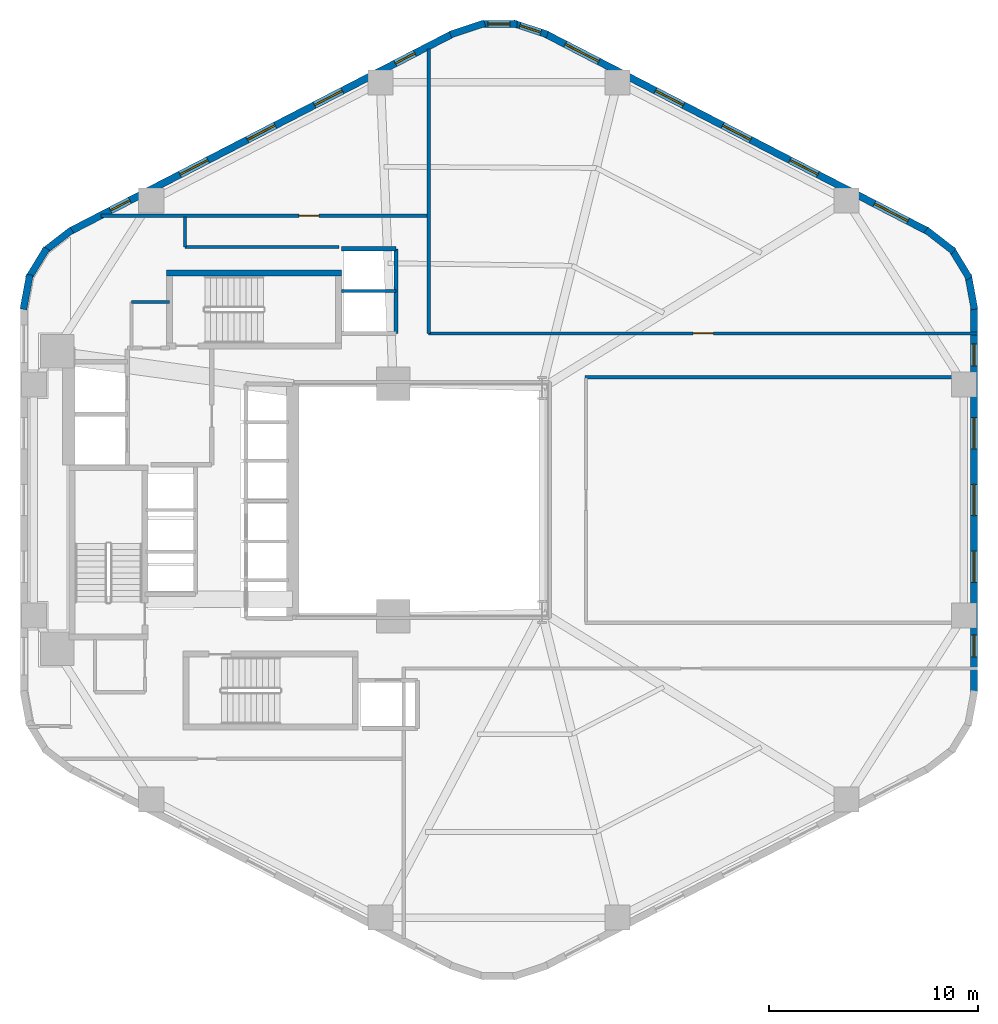
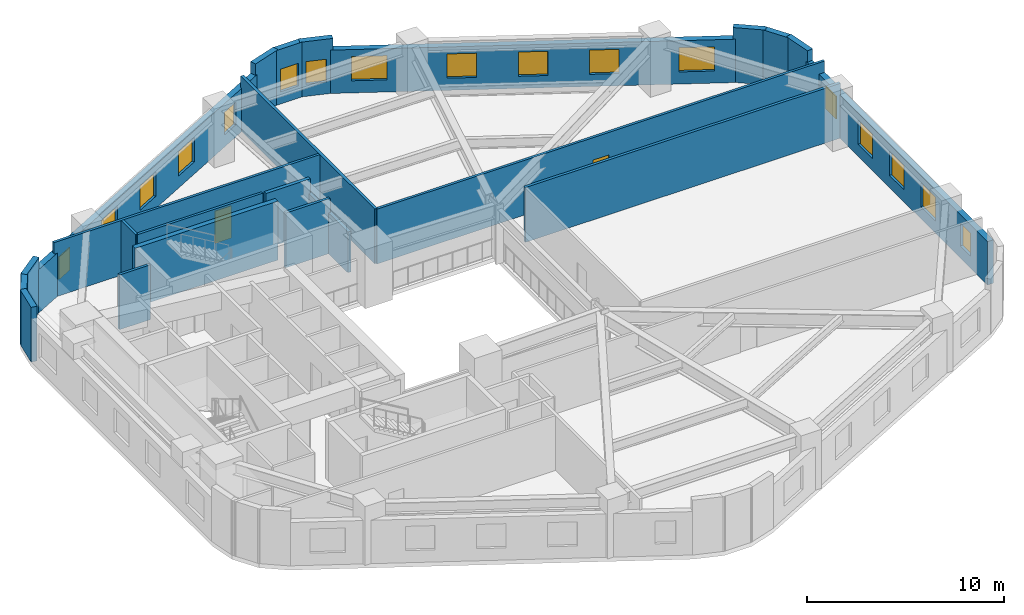
# One storey, part 4 of 6: 23 walls, 17 windows, 2 doors, 19 openings.
"""IFC4 building model written with IfcOpenShell, lengths in metres."""

from ifc_helpers import new_model, si_unit, direction, frame, frame_2d, origin, place, context, subcontext, project, spatial, rectangle, extrude, material, layer, layer_set, type_object, element, fill, save


model = new_model("IFC4")

# Units and contexts
model_context = context("Model", 3, precision=1e-05, world=origin(), true_north=direction((0.0, 1.0)))
body_context = subcontext(model_context, "Body", "Model", "MODEL_VIEW")
ifc_project = project(units=[si_unit("LENGTHUNIT", "METRE"), si_unit("AREAUNIT", "SQUARE_METRE"), si_unit("VOLUMEUNIT", "CUBIC_METRE"), si_unit("PLANEANGLEUNIT", "RADIAN"), si_unit("MASSUNIT", "GRAM", prefix="KILO"), si_unit("THERMODYNAMICTEMPERATUREUNIT", "KELVIN"), si_unit("POWERUNIT", "WATT")], contexts=[model_context])

# Site, building, storey
site_placement = place(None, origin())
site = spatial("IfcSite", under=ifc_project, at=site_placement, CompositionType="ELEMENT")
building_placement = place(site_placement, origin())
building = spatial("IfcBuilding", under=site, at=building_placement, Name="Skarre Station Tower", CompositionType="ELEMENT")
storey_placement = place(building_placement, frame((0.0, 0.0, 30.64990234375)))
storey = spatial("IfcBuildingStorey", under=building, at=storey_placement, Name="L07", CompositionType="ELEMENT", Elevation=30.64990234375)

# Wall
ifc_material_1 = material(Name="Acoustic Steel-Stud Gypsum Partition", Category="steel")
ifc_layer_1 = layer(ifc_material_1, 0.14990234375, Name="Acoustic Steel-Stud Gypsum Partition")
ifc_layer_set_1 = layer_set([ifc_layer_1], Name="Acoustic Steel-Stud Gypsum Partition")
wall_type_1 = type_object("IfcWallType", Name="Fire-Rated Corridor Acoustic Partition 150", PredefinedType="PARTITIONING", material=ifc_layer_set_1)
wall_1_placement = place(storey_placement, frame((21.659912109375, 33.449951171875, 0.0), z_axis=(0.0, 0.0, 1.0), x_axis=(-1.0, 0.0, 0.0)))
element("IfcWall", 1, at=wall_1_placement, inside=storey, type_object=wall_type_1, Name="L07 Interior Partition WL-PT-L07-CNW-N1", PredefinedType="PARTITIONING", context=body_context, shape_type="SweptSolid", body=[
    extrude(rectangle(XDim=1.809814453125, YDim=0.14990234375, at=frame_2d((0.90478515625, 0.0))), origin(), (0.0, 0.0, 1.0), 3.39013671875),
])

# Wall, opening, door
wall_2_placement = place(storey_placement, frame((34.0, 37.580078125, 0.0), z_axis=(0.0, 0.0, 1.0), x_axis=(-1.0, 0.0, 0.0)))
wall_2 = element("IfcWall", 2, at=wall_2_placement, inside=storey, type_object=wall_type_1, Name="L07 Interior Partition WL-PT-L07-NWW1-CW", PredefinedType="PARTITIONING", context=body_context, shape_type="SweptSolid", body=[
    extrude(rectangle(XDim=15.60009765625, YDim=0.14990234375, at=frame_2d((7.800048828125, 0.0))), origin(), (0.0, 0.0, 1.0), 3.39013671875),
])
opening_1_placement = place(wall_2_placement, frame((5.195068359375, 0.0, 0.0)))
opening_1 = element("IfcOpeningElement", 3, at=opening_1_placement, cuts=wall_2, Name="Opening DR-FD60", PredefinedType="OPENING", context=body_context, shape_type="SweptSolid", body=[
    extrude(rectangle(XDim=0.9599609375, YDim=2.0, at=frame_2d((0.47998046875, 1.0))), frame((0.0, 0.0849609375, 0.0), z_axis=(0.0, -1.0, 0.0), x_axis=(1.0, 0.0, 0.0)), (0.0, 0.0, 1.0), 0.169921875),
])
ifc_material_2 = material(Name="Nordic White-Oak Veneer Solid-Core Fire Leaf", Category="wood")
door_type = type_object("IfcDoorType", Name="Corridor Suite Entry Fire Door FD60 960x2150", OperationType="SINGLE_SWING_LEFT", PredefinedType="DOOR", material=ifc_material_2)
door_1_placement = place(opening_1_placement, origin())
door_1 = element("IfcDoor", 4, at=door_1_placement, inside=storey, type_object=door_type, Name="L07 NWW1 Entry Door", OperationType="SINGLE_SWING_LEFT", OverallHeight=2.0, OverallWidth=0.9599609375, PredefinedType="DOOR", context=body_context, shape_type="SweptSolid", body=[
    extrude(rectangle(XDim=0.9599609375, YDim=2.0, at=frame_2d((0.47998046875, 1.0))), frame((0.0, 0.02490234375, 0.0), z_axis=(0.0, -1.0, 0.0), x_axis=(1.0, 0.0, 0.0)), (0.0, 0.0, 1.0), 0.050048828125),
])
fill(opening_1, door_1)

wall_3_placement = place(storey_placement, frame((60.2529296875, 31.9599609375, 0.0), z_axis=(0.0, 0.0, 1.0), x_axis=(-1.0, 0.0, 0.0)))
wall_3 = element("IfcWall", 5, at=wall_3_placement, inside=storey, type_object=wall_type_1, Name="L07 Interior Partition WL-PT-L07-NW1-CW", PredefinedType="PARTITIONING", context=body_context, shape_type="SweptSolid", body=[
    extrude(rectangle(XDim=26.212890625, YDim=0.14990234375, at=frame_2d((13.1064453125, 0.0))), origin(), (0.0, 0.0, 1.0), 3.39013671875),
])
opening_2_placement = place(wall_3_placement, frame((12.612060546875, 0.0, 0.0)))
opening_2 = element("IfcOpeningElement", 6, at=opening_2_placement, cuts=wall_3, Name="Opening DR-FD60", PredefinedType="OPENING", context=body_context, shape_type="SweptSolid", body=[
    extrude(rectangle(XDim=0.9599609375, YDim=2.0, at=frame_2d((0.47998046875, 1.0))), frame((0.0, 0.0849609375, 0.0), z_axis=(0.0, -1.0, 0.0), x_axis=(1.0, 0.0, 0.0)), (0.0, 0.0, 1.0), 0.169921875),
])
door_2_placement = place(opening_2_placement, origin())
door_2 = element("IfcDoor", 7, at=door_2_placement, inside=storey, type_object=door_type, Name="L07 NW1 Entry Door", OperationType="SINGLE_SWING_LEFT", OverallHeight=2.0, OverallWidth=0.9599609375, PredefinedType="DOOR", context=body_context, shape_type="SweptSolid", body=[
    extrude(rectangle(XDim=0.9599609375, YDim=2.0, at=frame_2d((0.47998046875, 1.0))), frame((0.0, 0.02490234375, 0.0), z_axis=(0.0, -1.0, 0.0), x_axis=(1.0, 0.0, 0.0)), (0.0, 0.0, 1.0), 0.050048828125),
])
fill(opening_2, door_2)

# Walls
wall_4_placement = place(storey_placement, frame((29.7529296875, 36.080078125, 0.0), z_axis=(0.0, 0.0, 1.0), x_axis=(-1.0, 0.0, 0.0)))
element("IfcWall", 8, at=wall_4_placement, inside=storey, type_object=wall_type_1, Name="L07 Interior Partition WL-PT-L07-CSEAL-1", PredefinedType="PARTITIONING", context=body_context, shape_type="SweptSolid", body=[
    extrude(rectangle(XDim=7.35302734375, YDim=0.14990234375, at=frame_2d((3.676513671875, 0.0))), origin(), (0.0, 0.0, 1.0), 3.39013671875),
])
wall_5_placement = place(storey_placement, frame((22.39990234375, 36.080078125, 0.0), z_axis=(0.0, 0.0, 1.0), x_axis=(0.0, 1.0, 0.0)))
element("IfcWall", 9, at=wall_5_placement, inside=storey, type_object=wall_type_1, Name="L07 Interior Partition WL-PT-L07-CSEAL-2", PredefinedType="PARTITIONING", context=body_context, shape_type="SweptSolid", body=[
    extrude(rectangle(XDim=1.429931640625, YDim=0.14990234375, at=frame_2d((0.71484375, 0.0))), origin(), (0.0, 0.0, 1.0), 3.39013671875),
])

# Wall, openings, windows
ifc_material_3 = material(Name="Precast concrete C45/55", Category="concrete")
ifc_layer_2 = layer(ifc_material_3, 0.340087890625, Name="Precast concrete C45/55")
ifc_layer_set_2 = layer_set([ifc_layer_2], Name="Precast concrete C45/55")
wall_type_2 = type_object("IfcWallType", Name="Nordic Honed Precast Facet Wall 340", PredefinedType="STANDARD", material=ifc_layer_set_2)
wall_6_placement = place(storey_placement, frame((39.631103515625, 46.257080078125, 0.0), z_axis=(0.0, 0.0, 1.0), x_axis=(0.888634413993, -0.458616264721, 0.0)))
wall_6 = element("IfcWall", 10, at=wall_6_placement, inside=storey, type_object=wall_type_2, Name="L07 Facet 0 Nordic Precast Masonry Wall", PredefinedType="STANDARD", context=body_context, shape_type="SweptSolid", body=[
    extrude(rectangle(XDim=20.53125, YDim=0.340087890625, at=frame_2d((10.265625, 0.0))), origin(), (0.0, 0.0, 1.0), 2.68408203125),
])
opening_3_placement = place(wall_6_placement, frame((1.05810546875, 0.0, 0.75)))
opening_3 = element("IfcOpeningElement", 11, at=opening_3_placement, cuts=wall_6, Name="Opening WN-Z1A", PredefinedType="OPENING", context=body_context, shape_type="SweptSolid", body=[
    extrude(rectangle(XDim=1.800048828125, YDim=1.5, at=frame_2d((0.89990234375, 0.75))), frame((0.0, 0.179931640625, 0.0), z_axis=(0.0, -1.0, 0.0), x_axis=(1.0, 0.0, 0.0)), (0.0, 0.0, 1.0), 0.360107421875),
])
opening_4_placement = place(wall_6_placement, frame((5.903076171875, 0.0, 0.75)))
opening_4 = element("IfcOpeningElement", 12, at=opening_4_placement, cuts=wall_6, Name="Opening WN-Z1B", PredefinedType="OPENING", context=body_context, shape_type="SweptSolid", body=[
    extrude(rectangle(XDim=1.5, YDim=1.5, at=frame_2d((0.75, 0.75))), frame((0.0, 0.179931640625, 0.0), z_axis=(0.0, -1.0, 0.0), x_axis=(1.0, 0.0, 0.0)), (0.0, 0.0, 1.0), 0.360107421875),
])
opening_5_placement = place(wall_6_placement, frame((9.51611328125, 0.0, 0.75)))
opening_5 = element("IfcOpeningElement", 13, at=opening_5_placement, cuts=wall_6, Name="Opening WN-Z1B", PredefinedType="OPENING", context=body_context, shape_type="SweptSolid", body=[
    extrude(rectangle(XDim=1.5, YDim=1.5, at=frame_2d((0.75, 0.75))), frame((0.0, 0.179931640625, 0.0), z_axis=(0.0, -1.0, 0.0), x_axis=(1.0, 0.0, 0.0)), (0.0, 0.0, 1.0), 0.360107421875),
])
opening_6_placement = place(wall_6_placement, frame((13.12890625, 0.0, 0.75)))
opening_6 = element("IfcOpeningElement", 14, at=opening_6_placement, cuts=wall_6, Name="Opening WN-Z1B", PredefinedType="OPENING", context=body_context, shape_type="SweptSolid", body=[
    extrude(rectangle(XDim=1.5, YDim=1.5, at=frame_2d((0.75, 0.75))), frame((0.0, 0.179931640625, 0.0), z_axis=(0.0, -1.0, 0.0), x_axis=(1.0, 0.0, 0.0)), (0.0, 0.0, 1.0), 0.360107421875),
])
opening_7_placement = place(wall_6_placement, frame((17.673095703125, 0.0, 0.75)))
opening_7 = element("IfcOpeningElement", 15, at=opening_7_placement, cuts=wall_6, Name="Opening WN-Z1A", PredefinedType="OPENING", context=body_context, shape_type="SweptSolid", body=[
    extrude(rectangle(XDim=1.800048828125, YDim=1.5, at=frame_2d((0.89990234375, 0.75))), frame((0.0, 0.179931640625, 0.0), z_axis=(0.0, -1.0, 0.0), x_axis=(1.0, 0.0, 0.0)), (0.0, 0.0, 1.0), 0.360107421875),
])
ifc_material_4 = material(Name="Low-Iron Triple Glazing with Bronze Anodized Frame", Category="glass")
window_type_1 = type_object("IfcWindowType", Name="Nordic Punched Triple-Glazed Window 1500x1500", PartitioningType="SINGLE_PANEL", PredefinedType="WINDOW", material=ifc_material_4)
window_1_placement = place(opening_4_placement, origin())
window_1 = element("IfcWindow", 16, at=window_1_placement, inside=storey, type_object=window_type_1, Name="L07 Facade Window WL-FAC-L07-F0-2", OverallHeight=1.5, OverallWidth=1.5, PartitioningType="SINGLE_PANEL", PredefinedType="WINDOW", context=body_context, shape_type="SweptSolid", body=[
    extrude(rectangle(XDim=1.5, YDim=1.5, at=frame_2d((0.75, 0.75))), frame((0.0, 0.030029296875, 0.0), z_axis=(0.0, -1.0, 0.0), x_axis=(1.0, 0.0, 0.0)), (0.0, 0.0, 1.0), 0.06005859375),
])
fill(opening_4, window_1)
window_2_placement = place(opening_5_placement, origin())
window_2 = element("IfcWindow", 17, at=window_2_placement, inside=storey, type_object=window_type_1, Name="L07 Facade Window WL-FAC-L07-F0-3", OverallHeight=1.5, OverallWidth=1.5, PartitioningType="SINGLE_PANEL", PredefinedType="WINDOW", context=body_context, shape_type="SweptSolid", body=[
    extrude(rectangle(XDim=1.5, YDim=1.5, at=frame_2d((0.75, 0.75))), frame((0.0, 0.030029296875, 0.0), z_axis=(0.0, -1.0, 0.0), x_axis=(1.0, 0.0, 0.0)), (0.0, 0.0, 1.0), 0.06005859375),
])
fill(opening_5, window_2)
window_3_placement = place(opening_6_placement, origin())
window_3 = element("IfcWindow", 18, at=window_3_placement, inside=storey, type_object=window_type_1, Name="L07 Facade Window WL-FAC-L07-F0-4", OverallHeight=1.5, OverallWidth=1.5, PartitioningType="SINGLE_PANEL", PredefinedType="WINDOW", context=body_context, shape_type="SweptSolid", body=[
    extrude(rectangle(XDim=1.5, YDim=1.5, at=frame_2d((0.75, 0.75))), frame((0.0, 0.030029296875, 0.0), z_axis=(0.0, -1.0, 0.0), x_axis=(1.0, 0.0, 0.0)), (0.0, 0.0, 1.0), 0.06005859375),
])
fill(opening_6, window_3)
window_type_2 = type_object("IfcWindowType", Name="Nordic Punched Triple-Glazed Window 1800x1500", PartitioningType="SINGLE_PANEL", PredefinedType="WINDOW", material=ifc_material_4)
window_4_placement = place(opening_3_placement, origin())
window_4 = element("IfcWindow", 19, at=window_4_placement, inside=storey, type_object=window_type_2, Name="L07 Facade Window WL-FAC-L07-F0-1", OverallHeight=1.5, OverallWidth=1.800048828125, PartitioningType="SINGLE_PANEL", PredefinedType="WINDOW", context=body_context, shape_type="SweptSolid", body=[
    extrude(rectangle(XDim=1.800048828125, YDim=1.5, at=frame_2d((0.89990234375, 0.75))), frame((0.0, 0.030029296875, 0.0), z_axis=(0.0, -1.0, 0.0), x_axis=(1.0, 0.0, 0.0)), (0.0, 0.0, 1.0), 0.06005859375),
])
fill(opening_3, window_4)
window_5_placement = place(opening_7_placement, origin())
window_5 = element("IfcWindow", 20, at=window_5_placement, inside=storey, type_object=window_type_2, Name="L07 Facade Window WL-FAC-L07-F0-5", OverallHeight=1.5, OverallWidth=1.800048828125, PartitioningType="SINGLE_PANEL", PredefinedType="WINDOW", context=body_context, shape_type="SweptSolid", body=[
    extrude(rectangle(XDim=1.800048828125, YDim=1.5, at=frame_2d((0.89990234375, 0.75))), frame((0.0, 0.030029296875, 0.0), z_axis=(0.0, -1.0, 0.0), x_axis=(1.0, 0.0, 0.0)), (0.0, 0.0, 1.0), 0.06005859375),
])
fill(opening_7, window_5)

wall_7_placement = place(storey_placement, frame((16.924072265625, 36.841064453125, 0.0), z_axis=(0.0, 0.0, 1.0), x_axis=(0.888634413993, 0.458616264721, 0.0)))
wall_7 = element("IfcWall", 21, at=wall_7_placement, inside=storey, type_object=wall_type_2, Name="L07 Facet 1 Nordic Precast Masonry Wall", PredefinedType="STANDARD", context=body_context, shape_type="SweptSolid", body=[
    extrude(rectangle(XDim=20.53125, YDim=0.340087890625, at=frame_2d((10.265625, 0.0))), origin(), (0.0, 0.0, 1.0), 2.68408203125),
])
opening_8_placement = place(wall_7_placement, frame((2.160888671875, 0.0, 0.75)))
opening_8 = element("IfcOpeningElement", 22, at=opening_8_placement, cuts=wall_7, Name="Opening WN-SLT", PredefinedType="OPENING", context=body_context, shape_type="SweptSolid", body=[
    extrude(rectangle(XDim=1.050048828125, YDim=1.39990234375, at=frame_2d((0.52490234375, 0.699951171875))), frame((0.0, 0.179931640625, 0.0), z_axis=(0.0, -1.0, 0.0), x_axis=(1.0, 0.0, 0.0)), (0.0, 0.0, 1.0), 0.360107421875),
])
opening_9_placement = place(wall_7_placement, frame((5.903076171875, 0.0, 0.75)))
opening_9 = element("IfcOpeningElement", 23, at=opening_9_placement, cuts=wall_7, Name="Opening WN-Z1B", PredefinedType="OPENING", context=body_context, shape_type="SweptSolid", body=[
    extrude(rectangle(XDim=1.5, YDim=1.5, at=frame_2d((0.75, 0.75))), frame((0.0, 0.179931640625, 0.0), z_axis=(0.0, -1.0, 0.0), x_axis=(1.0, 0.0, 0.0)), (0.0, 0.0, 1.0), 0.360107421875),
])
opening_10_placement = place(wall_7_placement, frame((9.51611328125, 0.0, 0.75)))
opening_10 = element("IfcOpeningElement", 24, at=opening_10_placement, cuts=wall_7, Name="Opening WN-Z1B", PredefinedType="OPENING", context=body_context, shape_type="SweptSolid", body=[
    extrude(rectangle(XDim=1.5, YDim=1.5, at=frame_2d((0.75, 0.75))), frame((0.0, 0.179931640625, 0.0), z_axis=(0.0, -1.0, 0.0), x_axis=(1.0, 0.0, 0.0)), (0.0, 0.0, 1.0), 0.360107421875),
])
opening_11_placement = place(wall_7_placement, frame((13.12890625, 0.0, 0.75)))
opening_11 = element("IfcOpeningElement", 25, at=opening_11_placement, cuts=wall_7, Name="Opening WN-Z1B", PredefinedType="OPENING", context=body_context, shape_type="SweptSolid", body=[
    extrude(rectangle(XDim=1.5, YDim=1.5, at=frame_2d((0.75, 0.75))), frame((0.0, 0.179931640625, 0.0), z_axis=(0.0, -1.0, 0.0), x_axis=(1.0, 0.0, 0.0)), (0.0, 0.0, 1.0), 0.360107421875),
])
opening_12_placement = place(wall_7_placement, frame((17.47607421875, 0.0, 0.75)))
opening_12 = element("IfcOpeningElement", 26, at=opening_12_placement, cuts=wall_7, Name="Opening WN-SLT", PredefinedType="OPENING", context=body_context, shape_type="SweptSolid", body=[
    extrude(rectangle(XDim=1.050048828125, YDim=1.39990234375, at=frame_2d((0.52490234375, 0.699951171875))), frame((0.0, 0.179931640625, 0.0), z_axis=(0.0, -1.0, 0.0), x_axis=(1.0, 0.0, 0.0)), (0.0, 0.0, 1.0), 0.360107421875),
])
window_type_3 = type_object("IfcWindowType", Name="Nordic Corner Slot Window 1050x1400", PartitioningType="SINGLE_PANEL", PredefinedType="WINDOW", material=ifc_material_4)
window_6_placement = place(opening_8_placement, origin())
window_6 = element("IfcWindow", 27, at=window_6_placement, inside=storey, type_object=window_type_3, Name="L07 Facade Window WL-FAC-L07-F1-1", OverallHeight=1.39990234375, OverallWidth=1.050048828125, PartitioningType="SINGLE_PANEL", PredefinedType="WINDOW", context=body_context, shape_type="SweptSolid", body=[
    extrude(rectangle(XDim=1.050048828125, YDim=1.39990234375, at=frame_2d((0.52490234375, 0.699951171875))), frame((0.0, 0.030029296875, 0.0), z_axis=(0.0, -1.0, 0.0), x_axis=(1.0, 0.0, 0.0)), (0.0, 0.0, 1.0), 0.06005859375),
])
fill(opening_8, window_6)
window_7_placement = place(opening_12_placement, origin())
window_7 = element("IfcWindow", 28, at=window_7_placement, inside=storey, type_object=window_type_3, Name="L07 Facade Window WL-FAC-L07-F1-5", OverallHeight=1.39990234375, OverallWidth=1.050048828125, PartitioningType="SINGLE_PANEL", PredefinedType="WINDOW", context=body_context, shape_type="SweptSolid", body=[
    extrude(rectangle(XDim=1.050048828125, YDim=1.39990234375, at=frame_2d((0.52490234375, 0.699951171875))), frame((0.0, 0.030029296875, 0.0), z_axis=(0.0, -1.0, 0.0), x_axis=(1.0, 0.0, 0.0)), (0.0, 0.0, 1.0), 0.06005859375),
])
fill(opening_12, window_7)
window_8_placement = place(opening_9_placement, origin())
window_8 = element("IfcWindow", 29, at=window_8_placement, inside=storey, type_object=window_type_1, Name="L07 Facade Window WL-FAC-L07-F1-2", OverallHeight=1.5, OverallWidth=1.5, PartitioningType="SINGLE_PANEL", PredefinedType="WINDOW", context=body_context, shape_type="SweptSolid", body=[
    extrude(rectangle(XDim=1.5, YDim=1.5, at=frame_2d((0.75, 0.75))), frame((0.0, 0.030029296875, 0.0), z_axis=(0.0, -1.0, 0.0), x_axis=(1.0, 0.0, 0.0)), (0.0, 0.0, 1.0), 0.06005859375),
])
fill(opening_9, window_8)
window_9_placement = place(opening_10_placement, origin())
window_9 = element("IfcWindow", 30, at=window_9_placement, inside=storey, type_object=window_type_1, Name="L07 Facade Window WL-FAC-L07-F1-3", OverallHeight=1.5, OverallWidth=1.5, PartitioningType="SINGLE_PANEL", PredefinedType="WINDOW", context=body_context, shape_type="SweptSolid", body=[
    extrude(rectangle(XDim=1.5, YDim=1.5, at=frame_2d((0.75, 0.75))), frame((0.0, 0.030029296875, 0.0), z_axis=(0.0, -1.0, 0.0), x_axis=(1.0, 0.0, 0.0)), (0.0, 0.0, 1.0), 0.06005859375),
])
fill(opening_10, window_9)
window_10_placement = place(opening_11_placement, origin())
window_10 = element("IfcWindow", 31, at=window_10_placement, inside=storey, type_object=window_type_1, Name="L07 Facade Window WL-FAC-L07-F1-4", OverallHeight=1.5, OverallWidth=1.5, PartitioningType="SINGLE_PANEL", PredefinedType="WINDOW", context=body_context, shape_type="SweptSolid", body=[
    extrude(rectangle(XDim=1.5, YDim=1.5, at=frame_2d((0.75, 0.75))), frame((0.0, 0.030029296875, 0.0), z_axis=(0.0, -1.0, 0.0), x_axis=(1.0, 0.0, 0.0)), (0.0, 0.0, 1.0), 0.06005859375),
])
fill(opening_11, window_10)

wall_8_placement = place(storey_placement, frame((60.093017578125, 33.201904296875, 0.0), z_axis=(0.0, 0.0, 1.0), x_axis=(0.0, -1.0, 0.0)))
wall_8 = element("IfcWall", 32, at=wall_8_placement, inside=storey, type_object=wall_type_2, Name="L07 Facet 5 Nordic Precast Masonry Wall", PredefinedType="STANDARD", context=body_context, shape_type="SweptSolid", body=[
    extrude(rectangle(XDim=18.40380859375, YDim=0.340087890625, at=frame_2d((9.201904296875, 0.0))), origin(), (0.0, 0.0, 1.0), 2.68408203125),
])
opening_13_placement = place(wall_8_placement, frame((1.743896484375, 0.0, 0.75)))
opening_13 = element("IfcOpeningElement", 33, at=opening_13_placement, cuts=wall_8, Name="Opening WN-SLT", PredefinedType="OPENING", context=body_context, shape_type="SweptSolid", body=[
    extrude(rectangle(XDim=1.050048828125, YDim=1.39990234375, at=frame_2d((0.52490234375, 0.699951171875))), frame((0.0, 0.179931640625, 0.0), z_axis=(0.0, -1.0, 0.0), x_axis=(1.0, 0.0, 0.0)), (0.0, 0.0, 1.0), 0.360107421875),
])
opening_14_placement = place(wall_8_placement, frame((5.264892578125, 0.0, 0.75)))
opening_14 = element("IfcOpeningElement", 34, at=opening_14_placement, cuts=wall_8, Name="Opening WN-Z1B", PredefinedType="OPENING", context=body_context, shape_type="SweptSolid", body=[
    extrude(rectangle(XDim=1.5, YDim=1.5, at=frame_2d((0.75, 0.75))), frame((0.0, 0.179931640625, 0.0), z_axis=(0.0, -1.0, 0.0), x_axis=(1.0, 0.0, 0.0)), (0.0, 0.0, 1.0), 0.360107421875),
])
opening_15_placement = place(wall_8_placement, frame((8.451904296875, 0.0, 0.75)))
opening_15 = element("IfcOpeningElement", 35, at=opening_15_placement, cuts=wall_8, Name="Opening WN-Z1B", PredefinedType="OPENING", context=body_context, shape_type="SweptSolid", body=[
    extrude(rectangle(XDim=1.5, YDim=1.5, at=frame_2d((0.75, 0.75))), frame((0.0, 0.179931640625, 0.0), z_axis=(0.0, -1.0, 0.0), x_axis=(1.0, 0.0, 0.0)), (0.0, 0.0, 1.0), 0.360107421875),
])
opening_16_placement = place(wall_8_placement, frame((11.638916015625, 0.0, 0.75)))
opening_16 = element("IfcOpeningElement", 36, at=opening_16_placement, cuts=wall_8, Name="Opening WN-Z1B", PredefinedType="OPENING", context=body_context, shape_type="SweptSolid", body=[
    extrude(rectangle(XDim=1.5, YDim=1.5, at=frame_2d((0.75, 0.75))), frame((0.0, 0.179931640625, 0.0), z_axis=(0.0, -1.0, 0.0), x_axis=(1.0, 0.0, 0.0)), (0.0, 0.0, 1.0), 0.360107421875),
])
opening_17_placement = place(wall_8_placement, frame((15.64990234375, 0.0, 0.75)))
opening_17 = element("IfcOpeningElement", 37, at=opening_17_placement, cuts=wall_8, Name="Opening WN-SLT", PredefinedType="OPENING", context=body_context, shape_type="SweptSolid", body=[
    extrude(rectangle(XDim=1.050048828125, YDim=1.39990234375, at=frame_2d((0.52490234375, 0.699951171875))), frame((0.0, 0.179931640625, 0.0), z_axis=(0.0, -1.0, 0.0), x_axis=(1.0, 0.0, 0.0)), (0.0, 0.0, 1.0), 0.360107421875),
])
window_11_placement = place(opening_13_placement, origin())
window_11 = element("IfcWindow", 38, at=window_11_placement, inside=storey, type_object=window_type_3, Name="L07 Facade Window WL-FAC-L07-F5-1", OverallHeight=1.39990234375, OverallWidth=1.050048828125, PartitioningType="SINGLE_PANEL", PredefinedType="WINDOW", context=body_context, shape_type="SweptSolid", body=[
    extrude(rectangle(XDim=1.050048828125, YDim=1.39990234375, at=frame_2d((0.52490234375, 0.699951171875))), frame((0.0, 0.030029296875, 0.0), z_axis=(0.0, -1.0, 0.0), x_axis=(1.0, 0.0, 0.0)), (0.0, 0.0, 1.0), 0.06005859375),
])
fill(opening_13, window_11)
window_12_placement = place(opening_17_placement, origin())
window_12 = element("IfcWindow", 39, at=window_12_placement, inside=storey, type_object=window_type_3, Name="L07 Facade Window WL-FAC-L07-F5-5", OverallHeight=1.39990234375, OverallWidth=1.050048828125, PartitioningType="SINGLE_PANEL", PredefinedType="WINDOW", context=body_context, shape_type="SweptSolid", body=[
    extrude(rectangle(XDim=1.050048828125, YDim=1.39990234375, at=frame_2d((0.52490234375, 0.699951171875))), frame((0.0, 0.030029296875, 0.0), z_axis=(0.0, -1.0, 0.0), x_axis=(1.0, 0.0, 0.0)), (0.0, 0.0, 1.0), 0.06005859375),
])
fill(opening_17, window_12)
window_13_placement = place(opening_14_placement, origin())
window_13 = element("IfcWindow", 40, at=window_13_placement, inside=storey, type_object=window_type_1, Name="L07 Facade Window WL-FAC-L07-F5-2", OverallHeight=1.5, OverallWidth=1.5, PartitioningType="SINGLE_PANEL", PredefinedType="WINDOW", context=body_context, shape_type="SweptSolid", body=[
    extrude(rectangle(XDim=1.5, YDim=1.5, at=frame_2d((0.75, 0.75))), frame((0.0, 0.030029296875, 0.0), z_axis=(0.0, -1.0, 0.0), x_axis=(1.0, 0.0, 0.0)), (0.0, 0.0, 1.0), 0.06005859375),
])
fill(opening_14, window_13)
window_14_placement = place(opening_15_placement, origin())
window_14 = element("IfcWindow", 41, at=window_14_placement, inside=storey, type_object=window_type_1, Name="L07 Facade Window WL-FAC-L07-F5-3", OverallHeight=1.5, OverallWidth=1.5, PartitioningType="SINGLE_PANEL", PredefinedType="WINDOW", context=body_context, shape_type="SweptSolid", body=[
    extrude(rectangle(XDim=1.5, YDim=1.5, at=frame_2d((0.75, 0.75))), frame((0.0, 0.030029296875, 0.0), z_axis=(0.0, -1.0, 0.0), x_axis=(1.0, 0.0, 0.0)), (0.0, 0.0, 1.0), 0.06005859375),
])
fill(opening_15, window_14)
window_15_placement = place(opening_16_placement, origin())
window_15 = element("IfcWindow", 42, at=window_15_placement, inside=storey, type_object=window_type_1, Name="L07 Facade Window WL-FAC-L07-F5-4", OverallHeight=1.5, OverallWidth=1.5, PartitioningType="SINGLE_PANEL", PredefinedType="WINDOW", context=body_context, shape_type="SweptSolid", body=[
    extrude(rectangle(XDim=1.5, YDim=1.5, at=frame_2d((0.75, 0.75))), frame((0.0, 0.030029296875, 0.0), z_axis=(0.0, -1.0, 0.0), x_axis=(1.0, 0.0, 0.0)), (0.0, 0.0, 1.0), 0.06005859375),
])
fill(opening_16, window_15)

# Walls
ifc_layer_3 = layer(ifc_material_3, 0.330078125, Name="Precast concrete C45/55")
ifc_layer_set_3 = layer_set([ifc_layer_3], Name="Precast concrete C45/55")
wall_type_3 = type_object("IfcWallType", Name="Nordic Rounded Corner Precast Wall 330", PredefinedType="STANDARD", material=ifc_layer_set_3)
wall_9_placement = place(storey_placement, frame((57.802001953125, 36.90087890625, 0.0), z_axis=(0.0, 0.0, 1.0), x_axis=(0.790691856293, -0.61221433207, 0.0)))
element("IfcWall", 43, at=wall_9_placement, inside=storey, type_object=wall_type_3, Name="L07 Rounded Corner Precast Wall F0-1", PredefinedType="STANDARD", context=body_context, shape_type="SweptSolid", body=[
    extrude(rectangle(XDim=1.67578125, YDim=0.330078125, at=frame_2d((0.837890625, 0.0))), origin(), (0.0, 0.0, 1.0), 3.39013671875),
])
wall_10_placement = place(storey_placement, frame((59.001953125, 36.014892578125, 0.0), z_axis=(0.0, 0.0, 1.0), x_axis=(0.520584129191, -0.853810379671, 0.0)))
element("IfcWall", 44, at=wall_10_placement, inside=storey, type_object=wall_type_3, Name="L07 Rounded Corner Precast Wall F0-2", PredefinedType="STANDARD", context=body_context, shape_type="SweptSolid", body=[
    extrude(rectangle(XDim=1.677001953125, YDim=0.330078125, at=frame_2d((0.83837890625, 0.0))), origin(), (0.0, 0.0, 1.0), 3.39013671875),
])
wall_11_placement = place(storey_placement, frame((59.80810546875, 34.758056640625, 0.0), z_axis=(0.0, 0.0, 1.0), x_axis=(0.181714143354, -0.983351397063, 0.0)))
element("IfcWall", 45, at=wall_11_placement, inside=storey, type_object=wall_type_3, Name="L07 Rounded Corner Precast Wall F0-3", PredefinedType="STANDARD", context=body_context, shape_type="SweptSolid", body=[
    extrude(rectangle(XDim=1.677978515625, YDim=0.330078125, at=frame_2d((0.8388671875, 0.0))), origin(), (0.0, 0.0, 1.0), 3.39013671875),
])
wall_12_placement = place(storey_placement, frame((35.0810546875, 46.23095703125, 0.0), z_axis=(0.0, 0.0, 1.0), x_axis=(0.94976901097, 0.312951794691, 0.0)))
element("IfcWall", 46, at=wall_12_placement, inside=storey, type_object=wall_type_3, Name="L07 Rounded Corner Precast Wall F1-1", PredefinedType="STANDARD", context=body_context, shape_type="SweptSolid", body=[
    extrude(rectangle(XDim=1.722412109375, YDim=0.330078125, at=frame_2d((0.861328125, 0.0))), origin(), (0.0, 0.0, 1.0), 3.39013671875),
])

# Wall, opening, window
wall_13_placement = place(storey_placement, frame((36.5390625, 46.740966796875, 0.0), z_axis=(0.0, 0.0, 1.0), x_axis=(1.0, 0.0, 0.0)))
wall_13 = element("IfcWall", 47, at=wall_13_placement, inside=storey, type_object=wall_type_3, Name="L07 Rounded Corner Precast Wall F1-2", PredefinedType="STANDARD", context=body_context, shape_type="SweptSolid", body=[
    extrude(rectangle(XDim=1.721923828125, YDim=0.330078125, at=frame_2d((0.86083984375, 0.0))), origin(), (0.0, 0.0, 1.0), 3.39013671875),
])
opening_18_placement = place(wall_13_placement, frame((0.3359375, 0.0, 0.75)))
opening_18 = element("IfcOpeningElement", 48, at=opening_18_placement, cuts=wall_13, Name="Opening WN-SLT", PredefinedType="OPENING", context=body_context, shape_type="SweptSolid", body=[
    extrude(rectangle(XDim=1.050048828125, YDim=1.39990234375, at=frame_2d((0.52490234375, 0.699951171875))), frame((0.0, 0.175048828125, 0.0), z_axis=(0.0, -1.0, 0.0), x_axis=(1.0, 0.0, 0.0)), (0.0, 0.0, 1.0), 0.35009765625),
])
window_16_placement = place(opening_18_placement, origin())
window_16 = element("IfcWindow", 49, at=window_16_placement, inside=storey, type_object=window_type_3, Name="L07 Apex Corner Slot Window F1-2", OverallHeight=1.39990234375, OverallWidth=1.050048828125, PartitioningType="SINGLE_PANEL", PredefinedType="WINDOW", context=body_context, shape_type="SweptSolid", body=[
    extrude(rectangle(XDim=1.050048828125, YDim=1.39990234375, at=frame_2d((0.52490234375, 0.699951171875))), frame((0.0, 0.030029296875, 0.0), z_axis=(0.0, -1.0, 0.0), x_axis=(1.0, 0.0, 0.0)), (0.0, 0.0, 1.0), 0.06005859375),
])
fill(opening_18, window_16)

wall_14_placement = place(storey_placement, frame((38.0830078125, 46.77001953125, 0.0), z_axis=(0.0, 0.0, 1.0), x_axis=(0.94976901097, -0.312951794691, 0.0)))
wall_14 = element("IfcWall", 50, at=wall_14_placement, inside=storey, type_object=wall_type_3, Name="L07 Rounded Corner Precast Wall F1-3", PredefinedType="STANDARD", context=body_context, shape_type="SweptSolid", body=[
    extrude(rectangle(XDim=1.722412109375, YDim=0.330078125, at=frame_2d((0.861328125, 0.0))), origin(), (0.0, 0.0, 1.0), 3.39013671875),
])
opening_19_placement = place(wall_14_placement, frame((0.3359375, 0.0, 0.75)))
opening_19 = element("IfcOpeningElement", 51, at=opening_19_placement, cuts=wall_14, Name="Opening WN-SLT", PredefinedType="OPENING", context=body_context, shape_type="SweptSolid", body=[
    extrude(rectangle(XDim=1.050048828125, YDim=1.39990234375, at=frame_2d((0.52490234375, 0.699951171875))), frame((0.0, 0.175048828125, 0.0), z_axis=(0.0, -1.0, 0.0), x_axis=(1.0, 0.0, 0.0)), (0.0, 0.0, 1.0), 0.35009765625),
])
window_17_placement = place(opening_19_placement, origin())
window_17 = element("IfcWindow", 52, at=window_17_placement, inside=storey, type_object=window_type_3, Name="L07 Apex Corner Slot Window F1-3", OverallHeight=1.39990234375, OverallWidth=1.050048828125, PartitioningType="SINGLE_PANEL", PredefinedType="WINDOW", context=body_context, shape_type="SweptSolid", body=[
    extrude(rectangle(XDim=1.050048828125, YDim=1.39990234375, at=frame_2d((0.52490234375, 0.699951171875))), frame((0.0, 0.030029296875, 0.0), z_axis=(0.0, -1.0, 0.0), x_axis=(1.0, 0.0, 0.0)), (0.0, 0.0, 1.0), 0.06005859375),
])
fill(opening_19, window_17)

# Walls
wall_15_placement = place(storey_placement, frame((14.68701171875, 33.10791015625, 0.0), z_axis=(0.0, 0.0, 1.0), x_axis=(0.181714143354, 0.983351397063, 0.0)))
element("IfcWall", 53, at=wall_15_placement, inside=storey, type_object=wall_type_3, Name="L07 Rounded Corner Precast Wall F2-1", PredefinedType="STANDARD", context=body_context, shape_type="SweptSolid", body=[
    extrude(rectangle(XDim=1.677978515625, YDim=0.330078125, at=frame_2d((0.8388671875, 0.0))), origin(), (0.0, 0.0, 1.0), 3.39013671875),
])
wall_16_placement = place(storey_placement, frame((14.925048828125, 34.5830078125, 0.0), z_axis=(0.0, 0.0, 1.0), x_axis=(0.520584129191, 0.853810379671, 0.0)))
element("IfcWall", 54, at=wall_16_placement, inside=storey, type_object=wall_type_3, Name="L07 Rounded Corner Precast Wall F2-2", PredefinedType="STANDARD", context=body_context, shape_type="SweptSolid", body=[
    extrude(rectangle(XDim=1.677001953125, YDim=0.330078125, at=frame_2d((0.83837890625, 0.0))), origin(), (0.0, 0.0, 1.0), 3.39013671875),
])
wall_17_placement = place(storey_placement, frame((15.673095703125, 35.875, 0.0), z_axis=(0.0, 0.0, 1.0), x_axis=(0.790691856293, 0.61221433207, 0.0)))
element("IfcWall", 55, at=wall_17_placement, inside=storey, type_object=wall_type_3, Name="L07 Rounded Corner Precast Wall F2-3", PredefinedType="STANDARD", context=body_context, shape_type="SweptSolid", body=[
    extrude(rectangle(XDim=1.67578125, YDim=0.330078125, at=frame_2d((0.837890625, 0.0))), origin(), (0.0, 0.0, 1.0), 3.39013671875),
])
ifc_material_5 = material(Name="Concrete C50/60", Category="concrete")
ifc_layer_4 = layer(ifc_material_5, 0.280029296875, Name="Concrete C50/60")
ifc_layer_set_4 = layer_set([ifc_layer_4], Name="Concrete C50/60")
wall_type_4 = type_object("IfcWallType", Name="RC Core Shear Wall 280", PredefinedType="SHEAR", material=ifc_layer_set_4)
wall_18_placement = place(storey_placement, frame((29.8798828125, 34.840087890625, 0.0), z_axis=(0.0, 0.0, 1.0), x_axis=(-1.0, 0.0, 0.0)))
element("IfcWall", 56, at=wall_18_placement, inside=storey, type_object=wall_type_4, Name="L07 Stair ST-3 North Shear Wall", PredefinedType="SHEAR", context=body_context, shape_type="SweptSolid", body=[
    extrude(rectangle(XDim=8.35986328125, YDim=0.280029296875, at=frame_2d((4.179931640625, 0.0))), origin(), (0.0, 0.0, 1.0), 3.650146484375),
])
ifc_material_6 = material(Name="Gypsum Concrete Shaft Assembly C30/37", Category="concrete")
ifc_layer_5 = layer(ifc_material_6, 0.199951171875, Name="Gypsum Concrete Shaft Assembly C30/37")
ifc_layer_set_5 = layer_set([ifc_layer_5], Name="Gypsum Concrete Shaft Assembly C30/37")
wall_type_5 = type_object("IfcWallType", Name="Shaft & Core Fire Partition 200", PredefinedType="PARTITIONING", material=ifc_layer_set_5)
wall_19_placement = place(storey_placement, frame((32.47998046875, 31.949951171875, 0.0), z_axis=(0.0, 0.0, 1.0), x_axis=(0.0, 1.0, 0.0)))
element("IfcWall", 57, at=wall_19_placement, inside=storey, type_object=wall_type_5, Name="L07 Interior Partition WL-PT-L07-EX-E", PredefinedType="PARTITIONING", context=body_context, shape_type="SweptSolid", body=[
    extrude(rectangle(XDim=4.050048828125, YDim=0.199951171875, at=frame_2d((2.02490234375, 0.0))), origin(), (0.0, 0.0, 1.0), 2.51318359375),
])
wall_20_placement = place(storey_placement, frame((29.8798828125, 36.0, 0.0), z_axis=(0.0, 0.0, 1.0), x_axis=(1.0, 0.0, 0.0)))
element("IfcWall", 58, at=wall_20_placement, inside=storey, type_object=wall_type_5, Name="L07 Interior Partition WL-PT-L07-EX-N", PredefinedType="PARTITIONING", context=body_context, shape_type="SweptSolid", body=[
    extrude(rectangle(XDim=2.60009765625, YDim=0.199951171875, at=frame_2d((1.300048828125, 0.0))), origin(), (0.0, 0.0, 1.0), 3.39013671875),
])
wall_21_placement = place(storey_placement, frame((29.875, 33.97998046875, 0.0), z_axis=(0.0, 0.0, 1.0), x_axis=(1.0, 0.0, 0.0)))
element("IfcWall", 59, at=wall_21_placement, inside=storey, type_object=wall_type_5, Name="L07 Interior Partition WL-PT-L07-EX-DIV", PredefinedType="PARTITIONING", context=body_context, shape_type="SweptSolid", body=[
    extrude(rectangle(XDim=2.60498046875, YDim=0.159912109375, at=frame_2d((1.302490234375, 0.0))), origin(), (0.0, 0.0, 1.0), 3.39013671875),
])
ifc_layer_6 = layer(ifc_material_1, 0.1650390625, Name="Acoustic Steel-Stud Gypsum Partition")
ifc_layer_set_6 = layer_set([ifc_layer_6], Name="Acoustic Steel-Stud Gypsum Partition")
wall_type_6 = type_object("IfcWallType", Name="Suite Demising Acoustic Partition 165", PredefinedType="PARTITIONING", material=ifc_layer_set_6)
wall_22_placement = place(storey_placement, frame((34.0400390625, 31.9599609375, 0.0), z_axis=(0.0, 0.0, 1.0), x_axis=(0.0, 1.0, 0.0)))
element("IfcWall", 60, at=wall_22_placement, inside=storey, type_object=wall_type_6, Name="L07 Interior Partition WL-PT-L07-NW-WBND", PredefinedType="PARTITIONING", context=body_context, shape_type="SweptSolid", body=[
    extrude(rectangle(XDim=13.5791015625, YDim=0.1650390625, at=frame_2d((6.78955078125, 0.0))), origin(), (0.0, 0.0, 1.0), 3.39013671875),
])
wall_23_placement = place(storey_placement, frame((41.52001953125, 29.860107421875, 0.0), z_axis=(0.0, 0.0, 1.0), x_axis=(1.0, 0.0, 0.0)))
element("IfcWall", 61, at=wall_23_placement, inside=storey, type_object=wall_type_6, Name="L07 Interior Partition WL-PT-L07-EWB-N", PredefinedType="PARTITIONING", context=body_context, shape_type="SweptSolid", body=[
    extrude(rectangle(XDim=18.452880859375, YDim=0.1650390625, at=frame_2d((9.2265625, 0.0))), origin(), (0.0, 0.0, 1.0), 3.39013671875),
])

save(model, "model.ifc")
